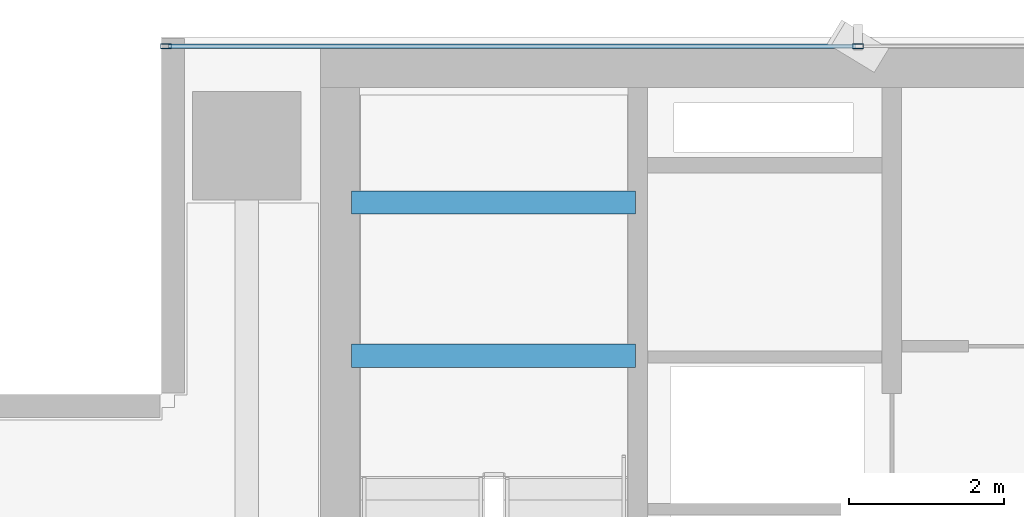
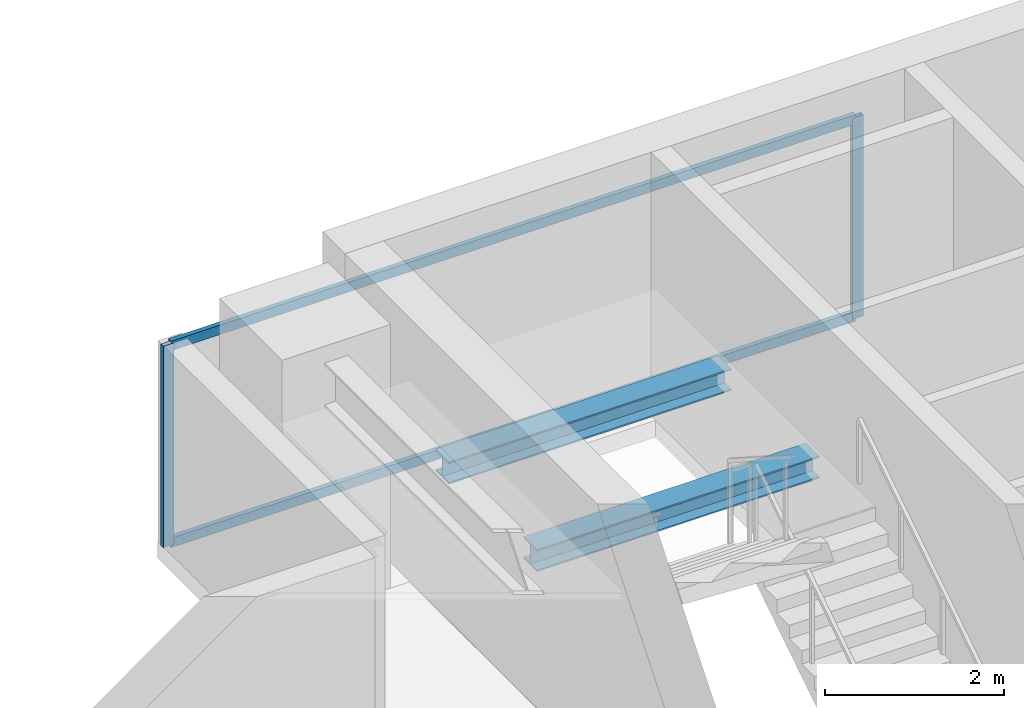
# One storey, part 15 of 27: 4 members, 2 beams, 1 element without a shape of its own.
"""IFC4 building model written with IfcOpenShell, lengths in metres."""

from ifc_helpers import new_model, si_unit, direction, frame, origin, origin_2d, place, context, subcontext, project, spatial, hollow_rectangle, i_section, extrude, source, transform, mapped, material, layer, layer_set, material_profile, profile_set, type_object, element, aggregate, save


model = new_model("IFC4")

# Units and contexts
model_context = context("Model", 3, precision=1e-05, world=origin(), true_north=direction((0.0, 1.0)))
body_context = subcontext(model_context, "Body", "Model", "MODEL_VIEW")
ifc_project = project(units=[si_unit("LENGTHUNIT", "METRE"), si_unit("AREAUNIT", "SQUARE_METRE"), si_unit("VOLUMEUNIT", "CUBIC_METRE"), si_unit("PLANEANGLEUNIT", "RADIAN"), si_unit("MASSUNIT", "GRAM", prefix="KILO")], contexts=[model_context])

# Site, building, storey
site_placement = place(None, origin())
site = spatial("IfcSite", under=ifc_project, at=site_placement, CompositionType="ELEMENT")
building_placement = place(site_placement, origin())
building = spatial("IfcBuilding", under=site, at=building_placement, Name="Sumidabori Civic Tower", CompositionType="ELEMENT")
storey_placement = place(building_placement, frame((0.0, 0.0, 257.60009765625)))
storey = spatial("IfcBuildingStorey", under=building, at=storey_placement, Name="L67", CompositionType="ELEMENT", Elevation=257.60009765625)

# Beams
ifc_material_1 = material(Name="Steel SN490", Category="steel")
ifc_material_profile_1 = material_profile(ifc_material_1, i_section(OverallWidth=0.300048828125, OverallDepth=0.300048828125, WebThickness=0.010986328125, FlangeThickness=0.01904296875, at=origin_2d()), Name="HE 300 B")
ifc_profile_set_1 = profile_set([ifc_material_profile_1], Name="Steel SN490")
beam_type = type_object("IfcBeamType", Name="BM-LDG-300", PredefinedType="BEAM", material=ifc_profile_set_1)
shared_shape_1 = source(origin(), body_context, "Body", "SweptSolid", [
    extrude(i_section(OverallWidth=0.300048828125, OverallDepth=0.300048828125, WebThickness=0.010986328125, FlangeThickness=0.01904296875, at=origin_2d()), origin(), (0.0, 0.0, 1.0), 3.64990234375),
])
for number, where, z_axis, x_axis, name in (
    (1, (-15.449951171875, 20.09765625, 1.449951171875), (1.0, 0.0, 0.0), (0.0, 1.0, 0.0), "Stair ST-1 Landing Support Beam L67-1A"),
    (2, (-15.449951171875, 22.069580078125, 1.449951171875), (1.0, 0.0, 0.0), (0.0, 1.0, 0.0), "Stair ST-1 Landing Trimmer Beam L67-1B"),
):
    element("IfcBeam", number, at=place(storey_placement, frame(where, z_axis=z_axis, x_axis=x_axis)), inside=storey, type_object=beam_type, Name=name, PredefinedType="BEAM", context=body_context, shape_type="MappedRepresentation", body=[
        mapped(shared_shape_1, transform((0.0, 0.0, 0.0), x_axis=(1.0, 0.0, 0.0), y_axis=(0.0, 1.0, 0.0), z_axis=(0.0, 0.0, 1.0), scale=1.0)),
    ])

# Curtain wall, members
ifc_material_2 = material(Name="Anodised Bronze Aluminium AW-6063-T6", Category="aluminium")
ifc_layer = layer(ifc_material_2, 0.179931640625, Name="Anodised Bronze Aluminium AW-6063-T6")
ifc_layer_set = layer_set([ifc_layer], Name="Anodised Bronze Aluminium AW-6063-T6")
curtain_wall_type = type_object("IfcCurtainWallType", Name="CW-SYS-5", PredefinedType="NOTDEFINED", material=ifc_layer_set)
curtain_wall_placement = place(storey_placement, origin())
curtain_wall = element("IfcCurtainWall", 3, at=curtain_wall_placement, inside=storey, type_object=curtain_wall_type, Name="Curtain Wall CW:L67:R07", PredefinedType="NOTDEFINED")
ifc_material_profile_2 = material_profile(ifc_material_2, hollow_rectangle(XDim=0.06005859375, YDim=0.139892578125, WallThickness=0.0048828125, at=origin_2d()), Name="ALU MULLION 140x60")
ifc_profile_set_2 = profile_set([ifc_material_profile_2], Name="Anodised Bronze Aluminium AW-6063-T6")
member_type_1 = type_object("IfcMemberType", Name="CW-MUL-140", PredefinedType="MULLION", material=ifc_profile_set_2)
shared_shape_2 = source(origin(), body_context, "Body", "SweptSolid", [
    extrude(hollow_rectangle(XDim=0.06005859375, YDim=0.139892578125, WallThickness=0.0048828125, at=origin_2d()), origin(), (0.0, 0.0, 1.0), 2.75),
])
member_1_placement = place(storey_placement, frame((-8.93505859375, 24.080078125, 0.0), z_axis=(0.0, 0.0, 1.0), x_axis=(0.0, -1.0, 0.0)))
member_1 = element("IfcMember", 4, at=member_1_placement, type_object=member_type_1, Name="CW-5 mullion 4", PredefinedType="MULLION", context=body_context, shape_type="MappedRepresentation", body=[
    mapped(shared_shape_2, transform((0.0, 0.0, 0.0), x_axis=(1.0, 0.0, 0.0), y_axis=(0.0, 1.0, 0.0), z_axis=(0.0, 0.0, 1.0), scale=1.0)),
])
member_2_placement = place(storey_placement, frame((-17.840087890625, 24.080078125, 0.0), z_axis=(0.0, 0.0, 1.0), x_axis=(0.0, -1.0, 0.0)))
member_2 = element("IfcMember", 5, at=member_2_placement, type_object=member_type_1, Name="CW-5 mullion 5", PredefinedType="MULLION", context=body_context, shape_type="MappedRepresentation", body=[
    mapped(shared_shape_2, transform((0.0, 0.0, 0.0), x_axis=(1.0, 0.0, 0.0), y_axis=(0.0, 1.0, 0.0), z_axis=(0.0, 0.0, 1.0), scale=1.0)),
])
ifc_material_profile_3 = material_profile(ifc_material_2, hollow_rectangle(XDim=0.06005859375, YDim=0.1298828125, WallThickness=0.0048828125, at=origin_2d()), Name="ALU TRANSOM 130x60")
ifc_profile_set_3 = profile_set([ifc_material_profile_3], Name="Anodised Bronze Aluminium AW-6063-T6")
member_type_2 = type_object("IfcMemberType", Name="CW-TRN-130", PredefinedType="USERDEFINED", material=ifc_profile_set_3)
shared_shape_3 = source(origin(), body_context, "Body", "SweptSolid", [
    extrude(hollow_rectangle(XDim=0.06005859375, YDim=0.1298828125, WallThickness=0.0048828125, at=origin_2d()), origin(), (0.0, 0.0, 1.0), 8.844970703125),
])
member_3_placement = place(storey_placement, frame((-8.965087890625, 24.080078125, 0.02978515625), z_axis=(-1.0, 0.0, 0.0), x_axis=(0.0, -1.0, 0.0)))
member_3 = element("IfcMember", 6, at=member_3_placement, type_object=member_type_2, Name="CW-5 transom 4.1", ObjectType="TRANSOM", PredefinedType="USERDEFINED", context=body_context, shape_type="MappedRepresentation", body=[
    mapped(shared_shape_3, transform((0.0, 0.0, 0.0), x_axis=(1.0, 0.0, 0.0), y_axis=(0.0, 1.0, 0.0), z_axis=(0.0, 0.0, 1.0), scale=1.0)),
])
member_4_placement = place(storey_placement, frame((-8.965087890625, 24.080078125, 2.719970703125), z_axis=(-1.0, 0.0, 0.0), x_axis=(0.0, -1.0, 0.0)))
member_4 = element("IfcMember", 7, at=member_4_placement, type_object=member_type_2, Name="CW-5 transom 4.2", ObjectType="TRANSOM", PredefinedType="USERDEFINED", context=body_context, shape_type="MappedRepresentation", body=[
    mapped(shared_shape_3, transform((0.0, 0.0, 0.0), x_axis=(1.0, 0.0, 0.0), y_axis=(0.0, 1.0, 0.0), z_axis=(0.0, 0.0, 1.0), scale=1.0)),
])
aggregate(curtain_wall, [member_1, member_2, member_3, member_4])

save(model, "model.ifc")
